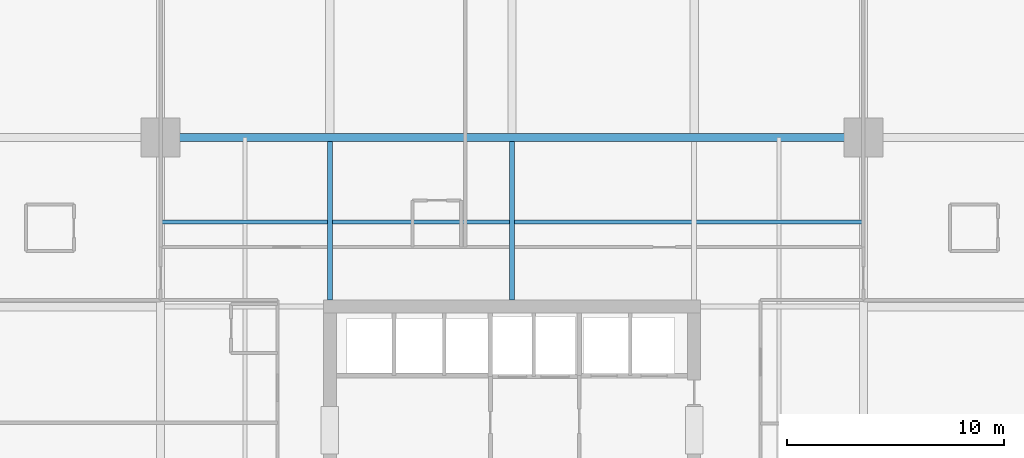
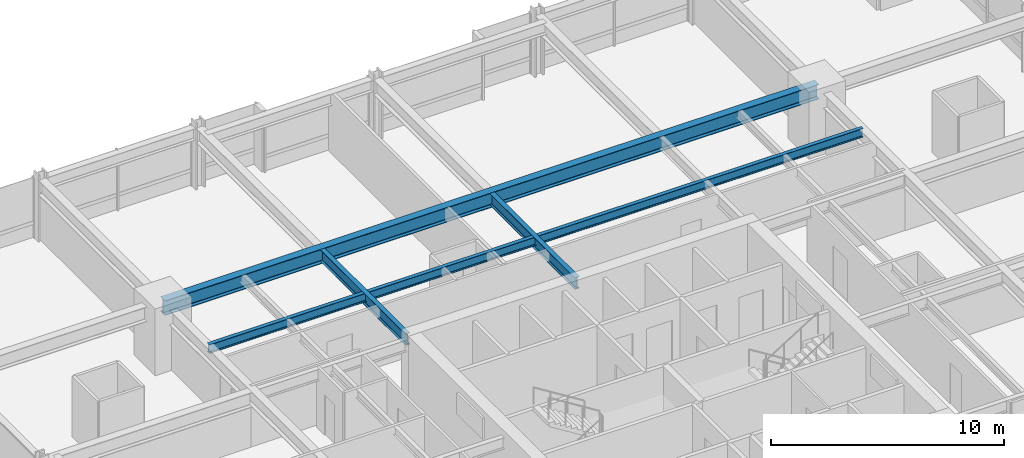
# One storey, part 20 of 37: 4 beams.
"""IFC4 building model written with IfcOpenShell, lengths in metres."""

from ifc_helpers import new_model, si_unit, direction, frame, origin, origin_2d, place, context, subcontext, project, spatial, i_section, extrude, material, material_profile, profile_set, type_object, element, save


model = new_model("IFC4")

# Units and contexts
model_context = context("Model", 3, precision=1e-05, world=origin(), true_north=direction((0.0, 1.0)))
body_context = subcontext(model_context, "Body", "Model", "MODEL_VIEW")
ifc_project = project(units=[si_unit("LENGTHUNIT", "METRE"), si_unit("AREAUNIT", "SQUARE_METRE"), si_unit("VOLUMEUNIT", "CUBIC_METRE"), si_unit("PLANEANGLEUNIT", "RADIAN"), si_unit("MASSUNIT", "GRAM", prefix="KILO")], contexts=[model_context])

# Site, building, storey
site_placement = place(None, origin())
site = spatial("IfcSite", under=ifc_project, at=site_placement, CompositionType="ELEMENT")
building_placement = place(site_placement, origin())
building = spatial("IfcBuilding", under=site, at=building_placement, Name="Drelvath Grand Hotel", CompositionType="ELEMENT")
storey_placement = place(building_placement, frame((0.0, 0.0, 78.699951171875)))
storey = spatial("IfcBuildingStorey", under=building, at=storey_placement, Name="L19", CompositionType="ELEMENT", Elevation=78.699951171875)

# Beams
ifc_material = material(Name="Steel ASTM A992 Gr 50", Category="steel")
ifc_material_profile_1 = material_profile(ifc_material, i_section(OverallWidth=0.19140625, OverallDepth=0.4599609375, WebThickness=0.010009765625, FlangeThickness=0.01611328125, FilletRadius=0.01611328125, at=origin_2d()), Name="W18X55")
ifc_profile_set_1 = profile_set([ifc_material_profile_1], Name="Steel ASTM A992 Gr 50")
beam_type_1 = type_object("IfcBeamType", Name="Composite Floor Joist W18X55", PredefinedType="JOIST", material=ifc_profile_set_1)
beam_1_placement = place(storey_placement, frame((-16.199951171875, 39.300048828125, 2.949951171875), z_axis=(1.0, 0.0, 0.0), x_axis=(0.0, 1.0, 0.0)))
element("IfcBeam", 1, at=beam_1_placement, inside=storey, type_object=beam_type_1, Name="L19 Floor Joist J2", PredefinedType="JOIST", context=body_context, shape_type="SweptSolid", body=[
    extrude(i_section(OverallWidth=0.19140625, OverallDepth=0.4599609375, WebThickness=0.010009765625, FlangeThickness=0.01611328125, FilletRadius=0.01611328125, at=origin_2d()), origin(), (0.0, 0.0, 1.0), 32.39990234375),
])
ifc_material_profile_2 = material_profile(ifc_material, i_section(OverallWidth=0.228271484375, OverallDepth=0.607666015625, WebThickness=0.01123046875, FlangeThickness=0.017333984375, FilletRadius=0.02001953125, at=origin_2d()), Name="W24X76")
ifc_profile_set_2 = profile_set([ifc_material_profile_2], Name="Steel ASTM A992 Gr 50")
beam_type_2 = type_object("IfcBeamType", Name="Primary Floor Girder W24X76", PredefinedType="BEAM", material=ifc_profile_set_2)
for number, where, z_axis, x_axis, name in (
    (2, (-8.39990234375, 35.699951171875, 2.876220703125), (0.0, 1.0, 0.0), (-1.0, 0.0, 0.0), "L19 North Core Tie 4"),
    (3, (0.0, 35.699951171875, 2.876220703125), (0.0, 1.0, 0.0), (-1.0, 0.0, 0.0), "L19 North Core Tie 5"),
):
    element("IfcBeam", number, at=place(storey_placement, frame(where, z_axis=z_axis, x_axis=x_axis)), inside=storey, type_object=beam_type_2, Name=name, PredefinedType="BEAM", context=body_context, shape_type="SweptSolid", body=[
        extrude(i_section(OverallWidth=0.228271484375, OverallDepth=0.607666015625, WebThickness=0.01123046875, FlangeThickness=0.017333984375, FilletRadius=0.02001953125, at=origin_2d()), origin(), (0.0, 0.0, 1.0), 7.309814453125),
    ])
ifc_material_profile_3 = material_profile(ifc_material, i_section(OverallWidth=0.380615234375, OverallDepth=0.773193359375, WebThickness=0.0166015625, FlangeThickness=0.027099609375, FilletRadius=0.02490234375, at=origin_2d()), Name="W30X173")
ifc_profile_set_3 = profile_set([ifc_material_profile_3], Name="Steel ASTM A992 Gr 50")
beam_type_3 = type_object("IfcBeamType", Name="Primary Floor Girder W30X173", PredefinedType="BEAM", material=ifc_profile_set_3)
beam_2_placement = place(storey_placement, frame((-16.199951171875, 43.199951171875, 2.79345703125), z_axis=(1.0, 0.0, 0.0), x_axis=(0.0, 1.0, 0.0)))
element("IfcBeam", 4, at=beam_2_placement, inside=storey, type_object=beam_type_3, Name="L19 Mega Ring Girder North", PredefinedType="BEAM", context=body_context, shape_type="SweptSolid", body=[
    extrude(i_section(OverallWidth=0.380615234375, OverallDepth=0.773193359375, WebThickness=0.0166015625, FlangeThickness=0.027099609375, FilletRadius=0.02490234375, at=origin_2d()), origin(), (0.0, 0.0, 1.0), 32.39990234375),
])

save(model, "model.ifc")
